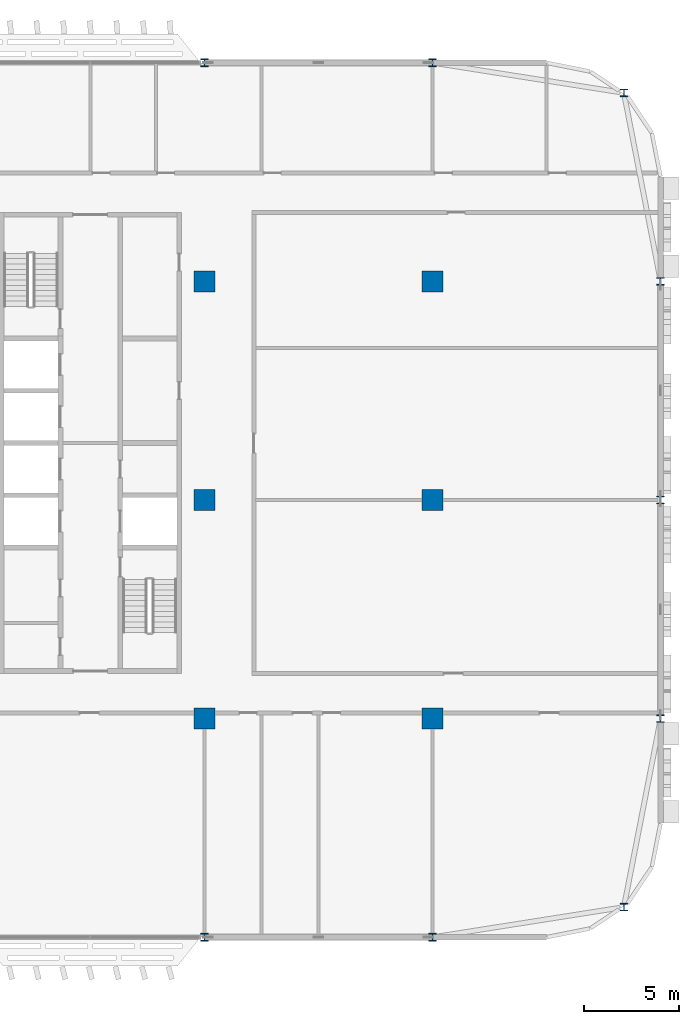
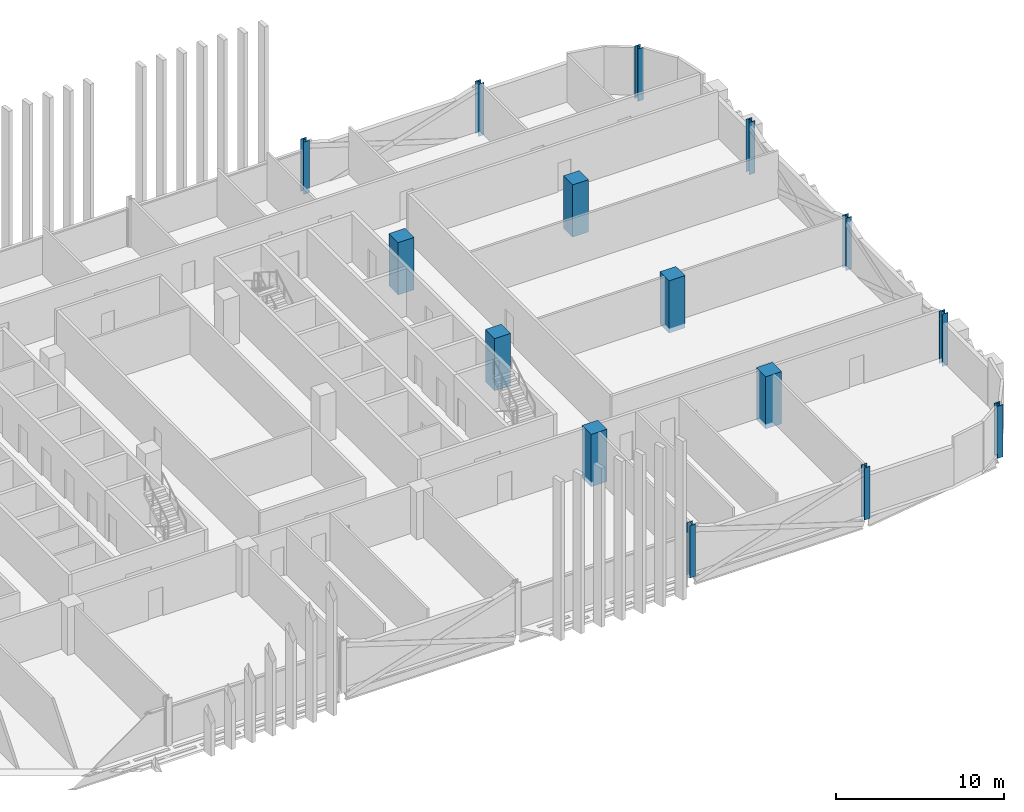
# One storey, part 3 of 30: 15 columns.
"""IFC4 building model written with IfcOpenShell, lengths in metres."""

from ifc_helpers import new_model, si_unit, direction, frame, origin, origin_2d, place, context, subcontext, project, spatial, rectangle, i_section, extrude, material, material_profile, profile_set, type_object, element, save


model = new_model("IFC4")

# Units and contexts
model_context = context("Model", 3, precision=1e-05, world=origin(), true_north=direction((0.0, 1.0)))
body_context = subcontext(model_context, "Body", "Model", "MODEL_VIEW")
ifc_project = project(units=[si_unit("LENGTHUNIT", "METRE"), si_unit("AREAUNIT", "SQUARE_METRE"), si_unit("VOLUMEUNIT", "CUBIC_METRE"), si_unit("PLANEANGLEUNIT", "RADIAN"), si_unit("MASSUNIT", "GRAM", prefix="KILO")], contexts=[model_context])

# Site, building, storey
site_placement = place(None, origin())
site = spatial("IfcSite", under=ifc_project, at=site_placement, CompositionType="ELEMENT")
building_placement = place(site_placement, origin())
building = spatial("IfcBuilding", under=site, at=building_placement, Name="Mahtab Terrace Research Tower", CompositionType="ELEMENT")
storey_placement = place(building_placement, frame((0.0, 0.0, 209.10009765625)))
storey = spatial("IfcBuildingStorey", under=building, at=storey_placement, Name="L50", CompositionType="ELEMENT", Elevation=209.10009765625)

# Columns
ifc_material_1 = material(Name="Concrete C70/85", Category="concrete")
ifc_material_profile_1 = material_profile(ifc_material_1, rectangle(XDim=1.10009765625, YDim=1.10009765625, at=origin_2d()), Name="RC column 1100x1100")
ifc_profile_set_1 = profile_set([ifc_material_profile_1], Name="Concrete C70/85")
column_type_1 = type_object("IfcColumnType", Name="RC column 1100x1100", PredefinedType="COLUMN", material=ifc_profile_set_1)
for number, where, z_axis, x_axis, name in (
    (1, (30.0, -11.5, -0.340087890625), (0.0, 0.0, 1.0), (1.0, 0.0, 0.0), "Column RC-7A L50"),
    (2, (30.0, 0.0, -0.340087890625), (0.0, 0.0, 1.0), (1.0, 0.0, 0.0), "Column RC-7B L50"),
    (3, (30.0, 11.5, -0.340087890625), (0.0, 0.0, 1.0), (1.0, 0.0, 0.0), "Column RC-7C L50"),
    (4, (42.0, -11.5, -0.340087890625), (0.0, 0.0, 1.0), (1.0, 0.0, 0.0), "Column RC-8A L50"),
    (5, (42.0, 0.0, -0.340087890625), (0.0, 0.0, 1.0), (1.0, 0.0, 0.0), "Column RC-8B L50"),
    (6, (42.0, 11.5, -0.340087890625), (0.0, 0.0, 1.0), (1.0, 0.0, 0.0), "Column RC-8C L50"),
):
    element("IfcColumn", number, at=place(storey_placement, frame(where, z_axis=z_axis, x_axis=x_axis)), inside=storey, type_object=column_type_1, Name=name, PredefinedType="COLUMN", context=body_context, shape_type="SweptSolid", body=[
        extrude(rectangle(XDim=1.10009765625, YDim=1.10009765625, at=origin_2d()), origin(), (0.0, 0.0, 1.0), 3.800048828125),
    ])
ifc_material_2 = material(Name="Steel ASTM A992 Gr 50", Category="steel")
ifc_material_profile_2 = material_profile(ifc_material_2, i_section(OverallWidth=0.4013671875, OverallDepth=0.398681640625, WebThickness=0.02490234375, FlangeThickness=0.03955078125, at=origin_2d()), Name="W14X211")
ifc_profile_set_2 = profile_set([ifc_material_profile_2], Name="Steel ASTM A992 Gr 50")
column_type_2 = type_object("IfcColumnType", Name="W14x211 column CS14211", PredefinedType="COLUMN", material=ifc_profile_set_2)
for number, where, z_axis, x_axis, name in (
    (7, (52.06201171875, 21.416015625, -0.340087890625), (0.0, 0.0, 1.0), (1.0, 0.0, 0.0), "Column SC-023 L50"),
    (8, (42.0, 23.0, -0.340087890625), (0.0, 0.0, 1.0), (1.0, 0.0, 0.0), "Column SC-001 L50"),
    (9, (30.0, 23.0, -0.340087890625), (0.0, 0.0, 1.0), (1.0, 0.0, 0.0), "Column SC-002 L50"),
    (10, (30.0, -23.0, -0.340087890625), (0.0, 0.0, 1.0), (1.0, 0.0, 0.0), "Column SC-018 L50"),
    (11, (42.0, -23.0, -0.340087890625), (0.0, 0.0, 1.0), (1.0, 0.0, 0.0), "Column SC-019 L50"),
    (12, (52.06201171875, -21.416015625, -0.340087890625), (0.0, 0.0, 1.0), (1.0, 0.0, 0.0), "Column SC-026 L50"),
    (13, (54.0, -11.5, -0.340087890625), (0.0, 0.0, 1.0), (1.0, 0.0, 0.0), "Column SC-027 L50"),
    (14, (54.0, 0.0, -0.340087890625), (0.0, 0.0, 1.0), (1.0, 0.0, 0.0), "Column SC-028 L50"),
    (15, (54.0, 11.5, -0.340087890625), (0.0, 0.0, 1.0), (1.0, 0.0, 0.0), "Column SC-029 L50"),
):
    element("IfcColumn", number, at=place(storey_placement, frame(where, z_axis=z_axis, x_axis=x_axis)), inside=storey, type_object=column_type_2, Name=name, PredefinedType="COLUMN", context=body_context, shape_type="SweptSolid", body=[
        extrude(i_section(OverallWidth=0.4013671875, OverallDepth=0.398681640625, WebThickness=0.02490234375, FlangeThickness=0.03955078125, at=origin_2d()), origin(), (0.0, 0.0, 1.0), 3.800048828125),
    ])

save(model, "model.ifc")
